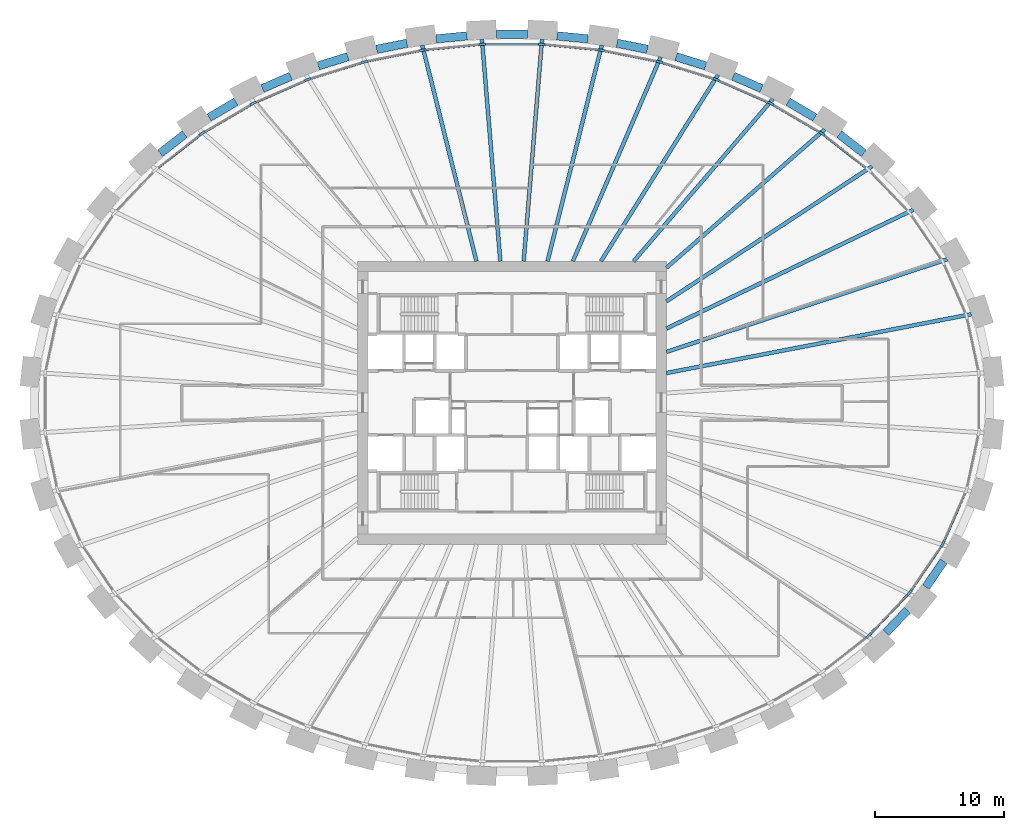
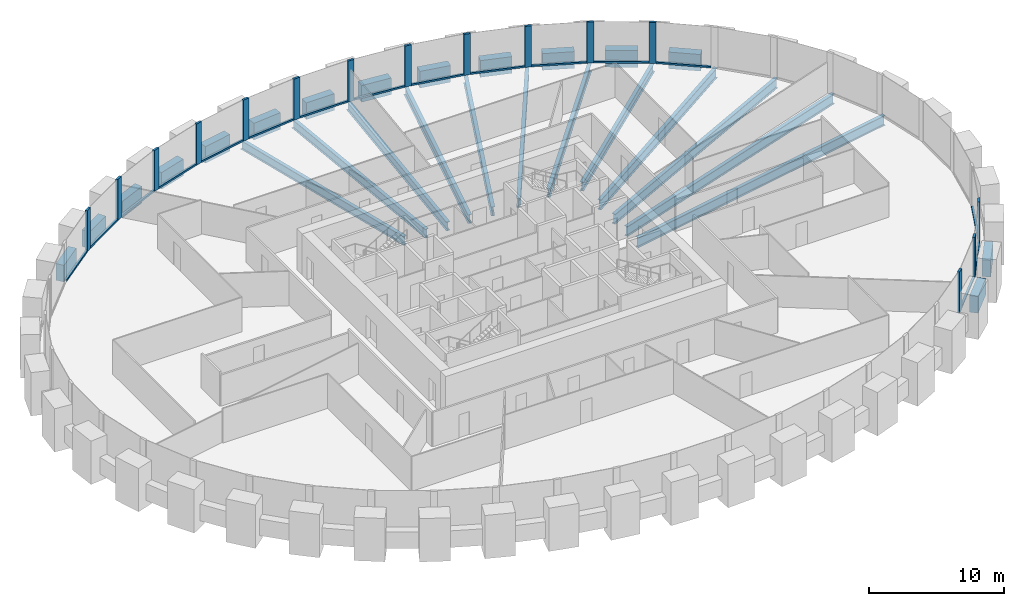
# One storey, part 3 of 10: 31 members, 27 beams, 1 element without a shape of its own.
"""IFC4 building model written with IfcOpenShell, lengths in metres."""

from ifc_helpers import new_model, si_unit, direction, frame, origin, origin_2d, place, context, subcontext, project, spatial, rectangle, i_section, extrude, source, transform, mapped, material, material_profile, profile_set, type_object, element, aggregate, save


model = new_model("IFC4")

# Units and contexts
model_context = context("Model", 3, precision=1e-05, world=origin(), true_north=direction((0.0, 1.0)))
body_context = subcontext(model_context, "Body", "Model", "MODEL_VIEW")
ifc_project = project(units=[si_unit("LENGTHUNIT", "METRE"), si_unit("AREAUNIT", "SQUARE_METRE"), si_unit("VOLUMEUNIT", "CUBIC_METRE"), si_unit("PLANEANGLEUNIT", "RADIAN"), si_unit("MASSUNIT", "GRAM", prefix="KILO")], contexts=[model_context])

# Site, building, storey
site_placement = place(None, origin())
site = spatial("IfcSite", under=ifc_project, at=site_placement, CompositionType="ELEMENT")
building_placement = place(site_placement, origin())
building = spatial("IfcBuilding", under=site, at=building_placement, Name="Embergate Tower", CompositionType="ELEMENT")
storey_placement = place(building_placement, frame((0.0, 0.0, 167.699951171875)))
storey = spatial("IfcBuildingStorey", under=building, at=storey_placement, Name="L37", CompositionType="ELEMENT", Elevation=167.699951171875)

# Beams
ifc_material_1 = material(Name="Concrete C70", Category="concrete")
ifc_material_profile_1 = material_profile(ifc_material_1, rectangle(XDim=0.64990234375, YDim=1.5, at=origin_2d()), Name="RC 650x1500")
ifc_profile_set_1 = profile_set([ifc_material_profile_1], Name="Concrete C70")
beam_type_1 = type_object("IfcBeamType", Name="Spandrel beam RC 650x1500 C70", PredefinedType="BEAM", material=ifc_profile_set_1)
shared_shape_1 = source(origin(), body_context, "Body", "SweptSolid", [
    extrude(rectangle(XDim=0.64990234375, YDim=1.5, at=origin_2d()), origin(), (0.0, 0.0, 1.0), 2.42724609375),
])
beam_1_placement = place(storey_placement, frame((32.175048828125, -14.322021484375, 0.0), z_axis=(0.562359541569, 0.826892826191, 0.0), x_axis=(-0.826892826191, 0.562359541569, 0.0)))
element("IfcBeam", 1, at=beam_1_placement, inside=storey, type_object=beam_type_1, Name="SPN-L37-40", PredefinedType="BEAM", context=body_context, shape_type="MappedRepresentation", body=[
    mapped(shared_shape_1, transform((0.0, 0.0, 0.0))),
])
shared_shape_2 = source(origin(), body_context, "Body", "SweptSolid", [
    extrude(rectangle(XDim=0.64990234375, YDim=1.5, at=origin_2d()), origin(), (0.0, 0.0, 1.0), 2.421630859375),
])
beam_2_placement = place(storey_placement, frame((29.05908203125, -17.864013671875, 0.0), z_axis=(0.68996725843, 0.723840577955, 0.0), x_axis=(-0.723840577955, 0.68996725843, 0.0)))
element("IfcBeam", 2, at=beam_2_placement, inside=storey, type_object=beam_type_1, Name="SPN-L37-39", PredefinedType="BEAM", context=body_context, shape_type="MappedRepresentation", body=[
    mapped(shared_shape_2, transform((0.0, 0.0, 0.0))),
])
shared_shape_3 = source(origin(), body_context, "Body", "SweptSolid", [
    extrude(rectangle(XDim=0.64990234375, YDim=1.5, at=origin_2d()), origin(), (0.0, 0.0, 1.0), 2.415283203125),
])
for number, where, z_axis, x_axis, name in (
    (3, (27.341064453125, 19.39306640625, 0.0), (-0.788366005977, 0.61520650242, 0.0), (-0.61520650242, -0.788366005977, 0.0), "SPN-L37-04"),
    (4, (-25.43701171875, 20.87890625, 0.0), (-0.788366005977, -0.61520650242, 0.0), (0.61520650242, -0.788366005977, 0.0), "SPN-L37-16"),
):
    element("IfcBeam", number, at=place(storey_placement, frame(where, z_axis=z_axis, x_axis=x_axis)), inside=storey, type_object=beam_type_1, Name=name, PredefinedType="BEAM", context=body_context, shape_type="MappedRepresentation", body=[
        mapped(shared_shape_3, transform((0.0, 0.0, 0.0))),
    ])
shared_shape_4 = source(origin(), body_context, "Body", "SweptSolid", [
    extrude(rectangle(XDim=0.64990234375, YDim=1.5, at=origin_2d()), origin(), (0.0, 0.0, 1.0), 2.41015625),
])
for number, where, z_axis, x_axis, name in (
    (5, (23.534912109375, 22.172119140625, 0.0), (-0.862176302717, 0.506608352707, 0.0), (-0.506608352707, -0.862176302717, 0.0), "SPN-L37-05"),
    (6, (-21.45703125, 23.39306640625, 0.0), (-0.862176302717, -0.506608352707, 0.0), (0.506608352707, -0.862176302717, 0.0), "SPN-L37-15"),
):
    element("IfcBeam", number, at=place(storey_placement, frame(where, z_axis=z_axis, x_axis=x_axis)), inside=storey, type_object=beam_type_1, Name=name, PredefinedType="BEAM", context=body_context, shape_type="MappedRepresentation", body=[
        mapped(shared_shape_4, transform((0.0, 0.0, 0.0))),
    ])
shared_shape_5 = source(origin(), body_context, "Body", "SweptSolid", [
    extrude(rectangle(XDim=0.64990234375, YDim=1.5, at=origin_2d()), origin(), (0.0, 0.0, 1.0), 2.405029296875),
])
for number, where, z_axis, x_axis, name in (
    (7, (19.39892578125, 24.4208984375, 0.0), (-0.916318010886, 0.400451373983, 0.0), (-0.400451373983, -0.916318010886, 0.0), "SPN-L37-06"),
    (8, (-17.195068359375, 25.384033203125, 0.0), (-0.916318010886, -0.400451373983, 0.0), (0.400451373983, -0.916318010886, 0.0), "SPN-L37-14"),
):
    element("IfcBeam", number, at=place(storey_placement, frame(where, z_axis=z_axis, x_axis=x_axis)), inside=storey, type_object=beam_type_1, Name=name, PredefinedType="BEAM", context=body_context, shape_type="MappedRepresentation", body=[
        mapped(shared_shape_5, transform((0.0, 0.0, 0.0))),
    ])
shared_shape_6 = source(origin(), body_context, "Body", "SweptSolid", [
    extrude(rectangle(XDim=0.64990234375, YDim=1.5, at=origin_2d()), origin(), (0.0, 0.0, 1.0), 2.40283203125),
])
for number, where, z_axis, x_axis, name in (
    (9, (15.0400390625, 26.18798828125, 0.0), (-0.954689462561, 0.297603813946, 0.0), (-0.297603813946, -0.954689462561, 0.0), "SPN-L37-07"),
    (10, (-12.74609375, 26.903076171875, 0.0), (-0.954689462561, -0.297603813946, 0.0), (0.297603813946, -0.954689462561, 0.0), "SPN-L37-13"),
):
    element("IfcBeam", number, at=place(storey_placement, frame(where, z_axis=z_axis, x_axis=x_axis)), inside=storey, type_object=beam_type_1, Name=name, PredefinedType="BEAM", context=body_context, shape_type="MappedRepresentation", body=[
        mapped(shared_shape_6, transform((0.0, 0.0, 0.0))),
    ])
shared_shape_7 = source(origin(), body_context, "Body", "SweptSolid", [
    extrude(rectangle(XDim=0.64990234375, YDim=1.5, at=origin_2d()), origin(), (0.0, 0.0, 1.0), 2.402099609375),
])
for number, where, z_axis, x_axis, name in (
    (11, (10.51708984375, 27.471923828125, 0.0), (-0.980408294351, 0.196976080702, 0.0), (-0.196976080702, -0.980408294351, 0.0), "SPN-L37-08"),
    (12, (-8.162109375, 27.945068359375, 0.0), (-0.980408294351, -0.196976080702, 0.0), (0.196976080702, -0.980408294351, 0.0), "SPN-L37-12"),
):
    element("IfcBeam", number, at=place(storey_placement, frame(where, z_axis=z_axis, x_axis=x_axis)), inside=storey, type_object=beam_type_1, Name=name, PredefinedType="BEAM", context=body_context, shape_type="MappedRepresentation", body=[
        mapped(shared_shape_7, transform((0.0, 0.0, 0.0))),
    ])
shared_shape_8 = source(origin(), body_context, "Body", "SweptSolid", [
    extrude(rectangle(XDim=0.64990234375, YDim=1.5, at=origin_2d()), origin(), (0.0, 0.0, 1.0), 2.4013671875),
])
for number, where, z_axis, x_axis, name in (
    (13, (5.886962890625, 28.283935546875, 0.0), (-0.995235491499, 0.097500340826, 0.0), (-0.097500340826, -0.995235491499, 0.0), "SPN-L37-09"),
    (14, (-3.4970703125, 28.51806640625, 0.0), (-0.995235491499, -0.097500340826, 0.0), (0.097500340826, -0.995235491499, 0.0), "SPN-L37-11"),
):
    element("IfcBeam", number, at=place(storey_placement, frame(where, z_axis=z_axis, x_axis=x_axis)), inside=storey, type_object=beam_type_1, Name=name, PredefinedType="BEAM", context=body_context, shape_type="MappedRepresentation", body=[
        mapped(shared_shape_8, transform((0.0, 0.0, 0.0))),
    ])
shared_shape_9 = source(origin(), body_context, "Body", "SweptSolid", [
    extrude(rectangle(XDim=0.64990234375, YDim=1.5, at=origin_2d()), origin(), (0.0, 0.0, 1.0), 2.39990234375),
])
beam_3_placement = place(storey_placement, frame((1.199951171875, 28.631103515625, 0.0), z_axis=(-1.0, 0.0, 0.0), x_axis=(0.0, -1.0, 0.0)))
element("IfcBeam", 15, at=beam_3_placement, inside=storey, type_object=beam_type_1, Name="SPN-L37-10", PredefinedType="BEAM", context=body_context, shape_type="MappedRepresentation", body=[
    mapped(shared_shape_9, transform((0.0, 0.0, 0.0))),
])
ifc_material_2 = material(Name="Steel Q355B", Category="steel")
ifc_material_profile_2 = material_profile(ifc_material_2, i_section(OverallWidth=0.300048828125, OverallDepth=0.89990234375, WebThickness=0.01611328125, FlangeThickness=0.028076171875, FilletRadius=0.028076171875, at=origin_2d()), Name="HN 900x300x16x28")
ifc_profile_set_2 = profile_set([ifc_material_profile_2], Name="Steel Q355 grade B")
beam_type_2 = type_object("IfcBeamType", Name="Radial girder HN 900x300x16x28", PredefinedType="BEAM", material=ifc_profile_set_2)
shared_shape_10 = source(origin(), body_context, "Body", "SweptSolid", [
    extrude(i_section(OverallWidth=0.300048828125, OverallDepth=0.89990234375, WebThickness=0.01611328125, FlangeThickness=0.028076171875, FilletRadius=0.028076171875, at=origin_2d()), origin(), (0.0, 0.0, 1.0), 24.12548828125),
])
beam_4_placement = place(storey_placement, frame((35.68896484375, 6.884033203125, -0.64990234375), z_axis=(-0.981902359672, -0.189387845628, 0.0), x_axis=(0.189387845628, -0.981902359672, 0.0)))
element("IfcBeam", 16, at=beam_4_placement, inside=storey, type_object=beam_type_2, Name="GIR-L37-01", PredefinedType="BEAM", context=body_context, shape_type="MappedRepresentation", body=[
    mapped(shared_shape_10, transform((0.0, 0.0, 0.0))),
])
shared_shape_11 = source(origin(), body_context, "Body", "SweptSolid", [
    extrude(i_section(OverallWidth=0.300048828125, OverallDepth=0.89990234375, WebThickness=0.01611328125, FlangeThickness=0.028076171875, FilletRadius=0.028076171875, at=origin_2d()), origin(), (0.0, 0.0, 1.0), 22.97265625),
])
beam_5_placement = place(storey_placement, frame((33.81689453125, 11.152099609375, -0.64990234375), z_axis=(-0.949687014879, -0.313200532838, 0.0), x_axis=(0.313200532838, -0.949687014879, 0.0)))
element("IfcBeam", 17, at=beam_5_placement, inside=storey, type_object=beam_type_2, Name="GIR-L37-02", PredefinedType="BEAM", context=body_context, shape_type="MappedRepresentation", body=[
    mapped(shared_shape_11, transform((0.0, 0.0, 0.0))),
])
shared_shape_12 = source(origin(), body_context, "Body", "SweptSolid", [
    extrude(i_section(OverallWidth=0.300048828125, OverallDepth=0.89990234375, WebThickness=0.01611328125, FlangeThickness=0.028076171875, FilletRadius=0.028076171875, at=origin_2d()), origin(), (0.0, 0.0, 1.0), 21.301025390625),
])
beam_6_placement = place(storey_placement, frame((31.195068359375, 15.008056640625, -0.64990234375), z_axis=(-0.901129390798, -0.433550252035, 0.0), x_axis=(0.433550252035, -0.901129390798, 0.0)))
element("IfcBeam", 18, at=beam_6_placement, inside=storey, type_object=beam_type_2, Name="GIR-L37-03", PredefinedType="BEAM", context=body_context, shape_type="MappedRepresentation", body=[
    mapped(shared_shape_12, transform((0.0, 0.0, 0.0))),
])
shared_shape_13 = source(origin(), body_context, "Body", "SweptSolid", [
    extrude(i_section(OverallWidth=0.300048828125, OverallDepth=0.89990234375, WebThickness=0.01611328125, FlangeThickness=0.028076171875, FilletRadius=0.028076171875, at=origin_2d()), origin(), (0.0, 0.0, 1.0), 19.1181640625),
])
beam_7_placement = place(storey_placement, frame((27.97802734375, 18.382080078125, -0.64990234375), z_axis=(-0.835748679781, -0.549112141775, 0.0), x_axis=(0.549112141775, -0.835748679781, 0.0)))
element("IfcBeam", 19, at=beam_7_placement, inside=storey, type_object=beam_type_2, Name="GIR-L37-04", PredefinedType="BEAM", context=body_context, shape_type="MappedRepresentation", body=[
    mapped(shared_shape_13, transform((0.0, 0.0, 0.0))),
])
ifc_material_profile_3 = material_profile(ifc_material_2, i_section(OverallWidth=0.300048828125, OverallDepth=0.800048828125, WebThickness=0.013916015625, FlangeThickness=0.02587890625, FilletRadius=0.028076171875, at=origin_2d()), Name="HN 800x300x14x26")
ifc_profile_set_3 = profile_set([ifc_material_profile_3], Name="Steel Q355 grade B")
beam_type_3 = type_object("IfcBeamType", Name="Radial girder HN 800x300x14x26", PredefinedType="BEAM", material=ifc_profile_set_3)
shared_shape_14 = source(origin(), body_context, "Body", "SweptSolid", [
    extrude(i_section(OverallWidth=0.300048828125, OverallDepth=0.800048828125, WebThickness=0.013916015625, FlangeThickness=0.02587890625, FilletRadius=0.028076171875, at=origin_2d()), origin(), (0.0, 0.0, 1.0), 16.341796875),
])
beam_8_placement = place(storey_placement, frame((24.301025390625, 21.251953125, -0.599853515625), z_axis=(-0.752738629267, -0.65831949387, 0.0), x_axis=(0.65831949387, -0.752738629267, 0.0)))
element("IfcBeam", 20, at=beam_8_placement, inside=storey, type_object=beam_type_3, Name="GIR-L37-05", PredefinedType="BEAM", context=body_context, shape_type="MappedRepresentation", body=[
    mapped(shared_shape_14, transform((0.0, 0.0, 0.0))),
])
shared_shape_15 = source(origin(), body_context, "Body", "SweptSolid", [
    extrude(i_section(OverallWidth=0.300048828125, OverallDepth=0.800048828125, WebThickness=0.013916015625, FlangeThickness=0.02587890625, FilletRadius=0.028076171875, at=origin_2d()), origin(), (0.0, 0.0, 1.0), 16.62939453125),
])
beam_9_placement = place(storey_placement, frame((20.280029296875, 23.615966796875, -0.599853515625), z_axis=(-0.651494757219, -0.758653136364, 0.0), x_axis=(0.758653136364, -0.651494757219, 0.0)))
element("IfcBeam", 21, at=beam_9_placement, inside=storey, type_object=beam_type_3, Name="GIR-L37-06", PredefinedType="BEAM", context=body_context, shape_type="MappedRepresentation", body=[
    mapped(shared_shape_15, transform((0.0, 0.0, 0.0))),
])
shared_shape_16 = source(origin(), body_context, "Body", "SweptSolid", [
    extrude(i_section(OverallWidth=0.300048828125, OverallDepth=0.800048828125, WebThickness=0.013916015625, FlangeThickness=0.02587890625, FilletRadius=0.028076171875, at=origin_2d()), origin(), (0.0, 0.0, 1.0), 17.103271484375),
])
beam_10_placement = place(storey_placement, frame((16.0048828125, 25.48388671875, -0.599853515625), z_axis=(-0.531827416629, -0.846852761064, 0.0), x_axis=(0.846852761064, -0.531827416629, 0.0)))
element("IfcBeam", 22, at=beam_10_placement, inside=storey, type_object=beam_type_3, Name="GIR-L37-07", PredefinedType="BEAM", context=body_context, shape_type="MappedRepresentation", body=[
    mapped(shared_shape_16, transform((0.0, 0.0, 0.0))),
])
shared_shape_17 = source(origin(), body_context, "Body", "SweptSolid", [
    extrude(i_section(OverallWidth=0.300048828125, OverallDepth=0.800048828125, WebThickness=0.013916015625, FlangeThickness=0.02587890625, FilletRadius=0.028076171875, at=origin_2d()), origin(), (0.0, 0.0, 1.0), 17.2763671875),
])
beam_11_placement = place(storey_placement, frame((11.551025390625, 26.8720703125, -0.599853515625), z_axis=(-0.394930430289, -0.918711029232, 0.0), x_axis=(0.918711029232, -0.394930430289, 0.0)))
element("IfcBeam", 23, at=beam_11_placement, inside=storey, type_object=beam_type_3, Name="GIR-L37-08", PredefinedType="BEAM", context=body_context, shape_type="MappedRepresentation", body=[
    mapped(shared_shape_17, transform((0.0, 0.0, 0.0))),
])
shared_shape_18 = source(origin(), body_context, "Body", "SweptSolid", [
    extrude(i_section(OverallWidth=0.300048828125, OverallDepth=0.800048828125, WebThickness=0.013916015625, FlangeThickness=0.02587890625, FilletRadius=0.028076171875, at=origin_2d()), origin(), (0.0, 0.0, 1.0), 17.31103515625),
])
for number, where, z_axis, x_axis, name in (
    (24, (6.97607421875, 27.7900390625, -0.599853515625), (-0.243491204419, -0.969903105145, 0.0), (0.969903105145, -0.243491204419, 0.0), "GIR-L37-09"),
    (25, (-6.97607421875, 27.7900390625, -0.599853515625), (0.243491204419, -0.969903105145, 0.0), (0.969903105145, 0.243491204419, 0.0), "GIR-L37-12"),
):
    element("IfcBeam", number, at=place(storey_placement, frame(where, z_axis=z_axis, x_axis=x_axis)), inside=storey, type_object=beam_type_3, Name=name, PredefinedType="BEAM", context=body_context, shape_type="MappedRepresentation", body=[
        mapped(shared_shape_18, transform((0.0, 0.0, 0.0))),
    ])
shared_shape_19 = source(origin(), body_context, "Body", "SweptSolid", [
    extrude(i_section(OverallWidth=0.300048828125, OverallDepth=0.800048828125, WebThickness=0.013916015625, FlangeThickness=0.02587890625, FilletRadius=0.028076171875, at=origin_2d()), origin(), (0.0, 0.0, 1.0), 17.304931640625),
])
for number, where, z_axis, x_axis, name in (
    (26, (2.3330078125, 28.24609375, -0.599853515625), (-0.082349584625, -0.996603504866, 0.0), (0.996603504866, -0.082349584625, 0.0), "GIR-L37-10"),
    (27, (-2.3330078125, 28.24609375, -0.599853515625), (0.082349584625, -0.996603504866, 0.0), (0.996603504866, 0.082349584625, 0.0), "GIR-L37-11"),
):
    element("IfcBeam", number, at=place(storey_placement, frame(where, z_axis=z_axis, x_axis=x_axis)), inside=storey, type_object=beam_type_3, Name=name, PredefinedType="BEAM", context=body_context, shape_type="MappedRepresentation", body=[
        mapped(shared_shape_19, transform((0.0, 0.0, 0.0))),
    ])

# Curtain wall, members
ifc_material_3 = material(Name="Aluminium and glass", Category="aluminium")
curtain_wall_type = type_object("IfcCurtainWallType", Name="Recessed office glazing", PredefinedType="NOTDEFINED", material=ifc_material_3)
curtain_wall_placement = place(storey_placement, origin())
curtain_wall = element("IfcCurtainWall", 28, at=curtain_wall_placement, inside=storey, type_object=curtain_wall_type, Name="Recessed office glazing ring", ObjectType="RECESSED OFFICE GLAZING", PredefinedType="USERDEFINED")
ifc_material_4 = material(Name="Aluminium, thermally broken", Category="aluminium")
ifc_material_profile_4 = material_profile(ifc_material_4, rectangle(XDim=0.179931640625, YDim=0.52001953125, at=origin_2d()), Name="AL 520x180")
ifc_profile_set_4 = profile_set([ifc_material_profile_4], Name="Aluminium, thermally broken")
member_type_1 = type_object("IfcMemberType", Name="Office mullion", PredefinedType="MULLION", material=ifc_profile_set_4)
shared_shape_20 = source(origin(), body_context, "Body", "SweptSolid", [
    extrude(rectangle(XDim=0.179931640625, YDim=0.52001953125, at=origin_2d()), origin(), (0.0, 0.0, 1.0), 3.699951171875),
])
member_1_placement = place(storey_placement, frame((24.08251953125, 20.9287109375, 0.0), z_axis=(0.0, 0.0, 1.0), x_axis=(-0.562216175174, -0.826990309721, 0.0)))
member_1 = element("IfcMember", 29, at=member_1_placement, type_object=member_type_1, Name="CW mullion 6", PredefinedType="MULLION", context=body_context, shape_type="MappedRepresentation", body=[
    mapped(shared_shape_20, transform((0.0, 0.0, 0.0))),
])
member_2_placement = place(storey_placement, frame((20.103271484375, 23.26806640625, 0.0), z_axis=(0.0, 0.0, 1.0), x_axis=(-0.454509825889, -0.890741723605, 0.0)))
member_2 = element("IfcMember", 30, at=member_2_placement, type_object=member_type_1, Name="CW mullion 7", PredefinedType="MULLION", context=body_context, shape_type="MappedRepresentation", body=[
    mapped(shared_shape_20, transform((0.0, 0.0, 0.0))),
])
member_3_placement = place(storey_placement, frame((15.86962890625, 25.119384765625, 0.0), z_axis=(0.0, 0.0, 1.0), x_axis=(-0.349502682851, -0.936935363128, 0.0)))
member_3 = element("IfcMember", 31, at=member_3_placement, type_object=member_type_1, Name="CW mullion 8", PredefinedType="MULLION", context=body_context, shape_type="MappedRepresentation", body=[
    mapped(shared_shape_20, transform((0.0, 0.0, 0.0))),
])
member_4_placement = place(storey_placement, frame((11.454833984375, 26.494140625, 0.0), z_axis=(0.0, 0.0, 1.0), x_axis=(-0.24731188137, -0.968935928394, 0.0)))
member_4 = element("IfcMember", 32, at=member_4_placement, type_object=member_type_1, Name="CW mullion 9", PredefinedType="MULLION", context=body_context, shape_type="MappedRepresentation", body=[
    mapped(shared_shape_20, transform((0.0, 0.0, 0.0))),
])
member_5_placement = place(storey_placement, frame((6.919189453125, 27.40380859375, 0.0), z_axis=(0.0, 0.0, 1.0), x_axis=(-0.147412382818, -0.989075118174, 0.0)))
member_5 = element("IfcMember", 33, at=member_5_placement, type_object=member_type_1, Name="CW mullion 10", PredefinedType="MULLION", context=body_context, shape_type="MappedRepresentation", body=[
    mapped(shared_shape_20, transform((0.0, 0.0, 0.0))),
])
member_6_placement = place(storey_placement, frame((2.31396484375, 27.8564453125, 0.0), z_axis=(0.0, 0.0, 1.0), x_axis=(-0.048971796621, -0.998800161762, 0.0)))
member_6 = element("IfcMember", 34, at=member_6_placement, type_object=member_type_1, Name="CW mullion 11", PredefinedType="MULLION", context=body_context, shape_type="MappedRepresentation", body=[
    mapped(shared_shape_20, transform((0.0, 0.0, 0.0))),
])
member_7_placement = place(storey_placement, frame((-2.31396484375, 27.8564453125, 0.0), z_axis=(0.0, 0.0, 1.0), x_axis=(0.048971796621, -0.998800161762, 0.0)))
member_7 = element("IfcMember", 35, at=member_7_placement, type_object=member_type_1, Name="CW mullion 12", PredefinedType="MULLION", context=body_context, shape_type="MappedRepresentation", body=[
    mapped(shared_shape_20, transform((0.0, 0.0, 0.0))),
])
member_8_placement = place(storey_placement, frame((-6.919189453125, 27.40380859375, 0.0), z_axis=(0.0, 0.0, 1.0), x_axis=(0.147412382818, -0.989075118174, 0.0)))
member_8 = element("IfcMember", 36, at=member_8_placement, type_object=member_type_1, Name="CW mullion 13", PredefinedType="MULLION", context=body_context, shape_type="MappedRepresentation", body=[
    mapped(shared_shape_20, transform((0.0, 0.0, 0.0))),
])
member_9_placement = place(storey_placement, frame((-11.454833984375, 26.494140625, 0.0), z_axis=(0.0, 0.0, 1.0), x_axis=(0.24731188137, -0.968935928394, 0.0)))
member_9 = element("IfcMember", 37, at=member_9_placement, type_object=member_type_1, Name="CW mullion 14", PredefinedType="MULLION", context=body_context, shape_type="MappedRepresentation", body=[
    mapped(shared_shape_20, transform((0.0, 0.0, 0.0))),
])
member_10_placement = place(storey_placement, frame((-15.86962890625, 25.119384765625, 0.0), z_axis=(0.0, 0.0, 1.0), x_axis=(0.349502682851, -0.936935363128, 0.0)))
member_10 = element("IfcMember", 38, at=member_10_placement, type_object=member_type_1, Name="CW mullion 15", PredefinedType="MULLION", context=body_context, shape_type="MappedRepresentation", body=[
    mapped(shared_shape_20, transform((0.0, 0.0, 0.0))),
])
member_11_placement = place(storey_placement, frame((-20.103271484375, 23.26806640625, 0.0), z_axis=(0.0, 0.0, 1.0), x_axis=(0.454509825889, -0.890741723605, 0.0)))
member_11 = element("IfcMember", 39, at=member_11_placement, type_object=member_type_1, Name="CW mullion 16", PredefinedType="MULLION", context=body_context, shape_type="MappedRepresentation", body=[
    mapped(shared_shape_20, transform((0.0, 0.0, 0.0))),
])
member_12_placement = place(storey_placement, frame((-24.08251953125, 20.9287109375, 0.0), z_axis=(0.0, 0.0, 1.0), x_axis=(0.562216175174, -0.826990309721, 0.0)))
member_12 = element("IfcMember", 40, at=member_12_placement, type_object=member_type_1, Name="CW mullion 17", PredefinedType="MULLION", context=body_context, shape_type="MappedRepresentation", body=[
    mapped(shared_shape_20, transform((0.0, 0.0, 0.0))),
])
member_13_placement = place(storey_placement, frame((27.716796875, -18.092041015625, 0.0), z_axis=(0.0, 0.0, 1.0), x_axis=(-0.671226533956, 0.741252278319, 0.0)))
member_13 = element("IfcMember", 41, at=member_13_placement, type_object=member_type_1, Name="CW mullion 40", PredefinedType="MULLION", context=body_context, shape_type="MappedRepresentation", body=[
    mapped(shared_shape_20, transform((0.0, 0.0, 0.0))),
])
member_14_placement = place(storey_placement, frame((30.89306640625, -14.76123046875, 0.0), z_axis=(0.0, 0.0, 1.0), x_axis=(-0.777872564355, 0.628422050555, 0.0)))
member_14 = element("IfcMember", 42, at=member_14_placement, type_object=member_type_1, Name="CW mullion 41", PredefinedType="MULLION", context=body_context, shape_type="MappedRepresentation", body=[
    mapped(shared_shape_20, transform((0.0, 0.0, 0.0))),
])
member_15_placement = place(storey_placement, frame((33.4765625, -10.96240234375, 0.0), z_axis=(0.0, 0.0, 1.0), x_axis=(-0.875001895832, 0.484119491748, 0.0)))
member_15 = element("IfcMember", 43, at=member_15_placement, type_object=member_type_1, Name="CW mullion 42", PredefinedType="MULLION", context=body_context, shape_type="MappedRepresentation", body=[
    mapped(shared_shape_20, transform((0.0, 0.0, 0.0))),
])
ifc_material_profile_5 = material_profile(ifc_material_4, rectangle(XDim=0.179931640625, YDim=0.14990234375, at=origin_2d()), Name="AL 150x180")
ifc_profile_set_5 = profile_set([ifc_material_profile_5], Name="Aluminium, thermally broken")
member_type_2 = type_object("IfcMemberType", Name="Office sill transom", PredefinedType="USERDEFINED", material=ifc_profile_set_5)
shared_shape_21 = source(origin(), body_context, "Body", "SweptSolid", [
    extrude(rectangle(XDim=0.179931640625, YDim=0.14990234375, at=origin_2d()), origin(), (0.0, 0.0, 1.0), 4.06494140625),
])
member_16_placement = place(storey_placement, frame((33.580810546875, -10.724365234375, 0.074951171875), z_axis=(0.401675633899, 0.91578200743, 0.0), x_axis=(-0.91578200743, 0.401675633899, 0.0)))
member_16 = element("IfcMember", 44, at=member_16_placement, type_object=member_type_2, Name="CW transom 42.1", ObjectType="TRANSOM", PredefinedType="USERDEFINED", context=body_context, shape_type="MappedRepresentation", body=[
    mapped(shared_shape_21, transform((0.0, 0.0, 0.0))),
])
shared_shape_22 = source(origin(), body_context, "Body", "SweptSolid", [
    extrude(rectangle(XDim=0.179931640625, YDim=0.14990234375, at=origin_2d()), origin(), (0.0, 0.0, 1.0), 4.073974609375),
])
member_17_placement = place(storey_placement, frame((31.039306640625, -14.54638671875, 0.074951171875), z_axis=(0.562337885641, 0.826907553704, 0.0), x_axis=(-0.826907553704, 0.562337885641, 0.0)))
member_17 = element("IfcMember", 45, at=member_17_placement, type_object=member_type_2, Name="CW transom 41.1", ObjectType="TRANSOM", PredefinedType="USERDEFINED", context=body_context, shape_type="MappedRepresentation", body=[
    mapped(shared_shape_22, transform((0.0, 0.0, 0.0))),
])
shared_shape_23 = source(origin(), body_context, "Body", "SweptSolid", [
    extrude(rectangle(XDim=0.179931640625, YDim=0.14990234375, at=origin_2d()), origin(), (0.0, 0.0, 1.0), 4.082763671875),
])
member_18_placement = place(storey_placement, frame((27.89599609375, -17.904052734375, 0.074951171875), z_axis=(0.690134333582, 0.723681284552, 0.0), x_axis=(-0.723681284552, 0.690134333582, 0.0)))
member_18 = element("IfcMember", 46, at=member_18_placement, type_object=member_type_2, Name="CW transom 40.1", ObjectType="TRANSOM", PredefinedType="USERDEFINED", context=body_context, shape_type="MappedRepresentation", body=[
    mapped(shared_shape_23, transform((0.0, 0.0, 0.0))),
])
shared_shape_24 = source(origin(), body_context, "Body", "SweptSolid", [
    extrude(rectangle(XDim=0.179931640625, YDim=0.14990234375, at=origin_2d()), origin(), (0.0, 0.0, 1.0), 4.090087890625),
])
member_19_placement = place(storey_placement, frame((27.51171875, 18.252197265625, 0.074951171875), z_axis=(-0.788341910095, 0.615237379219, 0.0), x_axis=(-0.615237379219, -0.788341910095, 0.0)))
member_19 = element("IfcMember", 47, at=member_19_placement, type_object=member_type_2, Name="CW transom 5.1", ObjectType="TRANSOM", PredefinedType="USERDEFINED", context=body_context, shape_type="MappedRepresentation", body=[
    mapped(shared_shape_24, transform((0.0, 0.0, 0.0))),
])
member_20_placement = place(storey_placement, frame((-24.287353515625, 20.7685546875, 0.074951171875), z_axis=(-0.788341910095, -0.615237379219, 0.0), x_axis=(0.615237379219, -0.788341910095, 0.0)))
member_20 = element("IfcMember", 48, at=member_20_placement, type_object=member_type_2, Name="CW transom 17.1", ObjectType="TRANSOM", PredefinedType="USERDEFINED", context=body_context, shape_type="MappedRepresentation", body=[
    mapped(shared_shape_24, transform((0.0, 0.0, 0.0))),
])
shared_shape_25 = source(origin(), body_context, "Body", "SweptSolid", [
    extrude(rectangle(XDim=0.179931640625, YDim=0.14990234375, at=origin_2d()), origin(), (0.0, 0.0, 1.0), 4.095947265625),
])
member_21_placement = place(storey_placement, frame((23.8583984375, 21.060302734375, 0.074951171875), z_axis=(-0.86205523764, 0.506814332134, 0.0), x_axis=(-0.506814332134, -0.86205523764, 0.0)))
member_21 = element("IfcMember", 49, at=member_21_placement, type_object=member_type_2, Name="CW transom 6.1", ObjectType="TRANSOM", PredefinedType="USERDEFINED", context=body_context, shape_type="MappedRepresentation", body=[
    mapped(shared_shape_25, transform((0.0, 0.0, 0.0))),
])
member_22_placement = place(storey_placement, frame((-20.327392578125, 23.13623046875, 0.074951171875), z_axis=(-0.86205523764, -0.506814332134, 0.0), x_axis=(0.506814332134, -0.86205523764, 0.0)))
member_22 = element("IfcMember", 50, at=member_22_placement, type_object=member_type_2, Name="CW transom 16.1", ObjectType="TRANSOM", PredefinedType="USERDEFINED", context=body_context, shape_type="MappedRepresentation", body=[
    mapped(shared_shape_25, transform((0.0, 0.0, 0.0))),
])
shared_shape_26 = source(origin(), body_context, "Body", "SweptSolid", [
    extrude(rectangle(XDim=0.179931640625, YDim=0.14990234375, at=origin_2d()), origin(), (0.0, 0.0, 1.0), 4.1005859375),
])
member_23_placement = place(storey_placement, frame((19.864990234375, 23.372314453125, 0.074951171875), z_axis=(-0.916237937351, 0.400634549382, 0.0), x_axis=(-0.400634549382, -0.916237937351, 0.0)))
member_23 = element("IfcMember", 51, at=member_23_placement, type_object=member_type_2, Name="CW transom 7.1", ObjectType="TRANSOM", PredefinedType="USERDEFINED", context=body_context, shape_type="MappedRepresentation", body=[
    mapped(shared_shape_26, transform((0.0, 0.0, 0.0))),
])
member_24_placement = place(storey_placement, frame((-16.10791015625, 25.01513671875, 0.074951171875), z_axis=(-0.916237937351, -0.400634549382, 0.0), x_axis=(0.400634549382, -0.916237937351, 0.0)))
member_24 = element("IfcMember", 52, at=member_24_placement, type_object=member_type_2, Name="CW transom 15.1", ObjectType="TRANSOM", PredefinedType="USERDEFINED", context=body_context, shape_type="MappedRepresentation", body=[
    mapped(shared_shape_26, transform((0.0, 0.0, 0.0))),
])
shared_shape_27 = source(origin(), body_context, "Body", "SweptSolid", [
    extrude(rectangle(XDim=0.179931640625, YDim=0.14990234375, at=origin_2d()), origin(), (0.0, 0.0, 1.0), 4.103759765625),
])
member_25_placement = place(storey_placement, frame((15.621337890625, 25.196533203125, 0.074951171875), z_axis=(-0.954772738111, 0.297336540911, 0.0), x_axis=(-0.297336540911, -0.954772738111, 0.0)))
member_25 = element("IfcMember", 53, at=member_25_placement, type_object=member_type_2, Name="CW transom 8.1", ObjectType="TRANSOM", PredefinedType="USERDEFINED", context=body_context, shape_type="MappedRepresentation", body=[
    mapped(shared_shape_27, transform((0.0, 0.0, 0.0))),
])
member_26_placement = place(storey_placement, frame((-11.703125, 26.416748046875, 0.074951171875), z_axis=(-0.954772738111, -0.297336540911, 0.0), x_axis=(0.297336540911, -0.954772738111, 0.0)))
member_26 = element("IfcMember", 54, at=member_26_placement, type_object=member_type_2, Name="CW transom 14.1", ObjectType="TRANSOM", PredefinedType="USERDEFINED", context=body_context, shape_type="MappedRepresentation", body=[
    mapped(shared_shape_27, transform((0.0, 0.0, 0.0))),
])
shared_shape_28 = source(origin(), body_context, "Body", "SweptSolid", [
    extrude(rectangle(XDim=0.179931640625, YDim=0.14990234375, at=origin_2d()), origin(), (0.0, 0.0, 1.0), 4.10595703125),
])
member_27_placement = place(storey_placement, frame((11.199951171875, 26.54541015625, 0.074951171875), z_axis=(-0.980477631016, 0.196630656505, 0.0), x_axis=(-0.196630656505, -0.980477631016, 0.0)))
member_27 = element("IfcMember", 55, at=member_27_placement, type_object=member_type_2, Name="CW transom 9.1", ObjectType="TRANSOM", PredefinedType="USERDEFINED", context=body_context, shape_type="MappedRepresentation", body=[
    mapped(shared_shape_28, transform((0.0, 0.0, 0.0))),
])
member_28_placement = place(storey_placement, frame((-7.174072265625, 27.352783203125, 0.074951171875), z_axis=(-0.980477631016, -0.196630656505, 0.0), x_axis=(0.196630656505, -0.980477631016, 0.0)))
member_28 = element("IfcMember", 56, at=member_28_placement, type_object=member_type_2, Name="CW transom 13.1", ObjectType="TRANSOM", PredefinedType="USERDEFINED", context=body_context, shape_type="MappedRepresentation", body=[
    mapped(shared_shape_28, transform((0.0, 0.0, 0.0))),
])
shared_shape_29 = source(origin(), body_context, "Body", "SweptSolid", [
    extrude(rectangle(XDim=0.179931640625, YDim=0.14990234375, at=origin_2d()), origin(), (0.0, 0.0, 1.0), 4.107666015625),
])
member_29_placement = place(storey_placement, frame((6.660400390625, 27.42919921875, 0.074951171875), z_axis=(-0.995202914721, 0.097832297995, 0.0), x_axis=(-0.097832297995, -0.995202914721, 0.0)))
member_29 = element("IfcMember", 57, at=member_29_placement, type_object=member_type_2, Name="CW transom 10.1", ObjectType="TRANSOM", PredefinedType="USERDEFINED", context=body_context, shape_type="MappedRepresentation", body=[
    mapped(shared_shape_29, transform((0.0, 0.0, 0.0))),
])
member_30_placement = place(storey_placement, frame((-2.572509765625, 27.8310546875, 0.074951171875), z_axis=(-0.995202914721, -0.097832297995, 0.0), x_axis=(0.097832297995, -0.995202914721, 0.0)))
member_30 = element("IfcMember", 58, at=member_30_placement, type_object=member_type_2, Name="CW transom 12.1", ObjectType="TRANSOM", PredefinedType="USERDEFINED", context=body_context, shape_type="MappedRepresentation", body=[
    mapped(shared_shape_29, transform((0.0, 0.0, 0.0))),
])
shared_shape_30 = source(origin(), body_context, "Body", "SweptSolid", [
    extrude(rectangle(XDim=0.179931640625, YDim=0.14990234375, at=origin_2d()), origin(), (0.0, 0.0, 1.0), 4.10791015625),
])
member_31_placement = place(storey_placement, frame((2.053955078125, 27.8564453125, 0.074951171875), z_axis=(-1.0, 0.0, 0.0), x_axis=(0.0, -1.0, 0.0)))
member_31 = element("IfcMember", 59, at=member_31_placement, type_object=member_type_2, Name="CW transom 11.1", ObjectType="TRANSOM", PredefinedType="USERDEFINED", context=body_context, shape_type="MappedRepresentation", body=[
    mapped(shared_shape_30, transform((0.0, 0.0, 0.0))),
])
aggregate(curtain_wall, [member_1, member_2, member_3, member_4, member_5, member_6, member_7, member_8, member_9, member_10, member_11, member_12, member_13, member_14, member_15, member_19, member_21, member_23, member_25, member_27, member_29, member_31, member_30, member_28, member_26, member_24, member_22, member_20, member_18, member_17, member_16])

save(model, "model.ifc")
